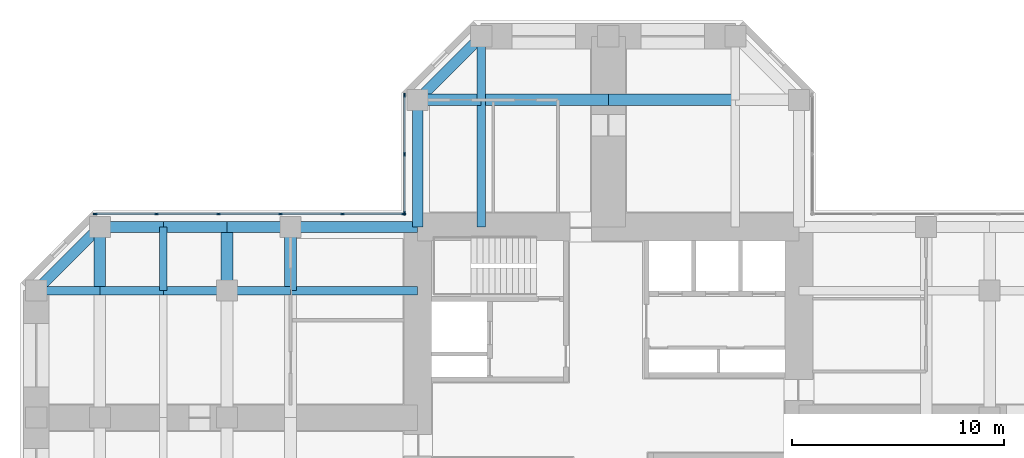
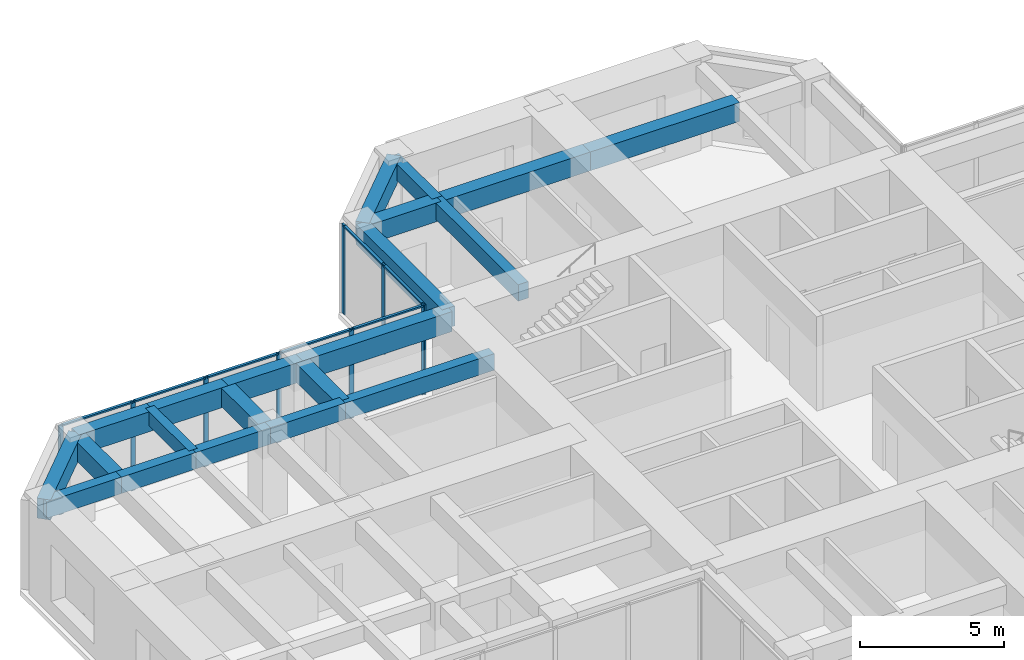
# One storey, part 5 of 12: 21 beams, 16 members, 2 elements without a shape of their own.
"""IFC4 building model written with IfcOpenShell, lengths in metres."""

from ifc_helpers import new_model, si_unit, direction, frame, origin, origin_2d, place, context, subcontext, project, spatial, rectangle, extrude, material, material_profile, profile_set, type_object, element, aggregate, save


model = new_model("IFC4")

# Units and contexts
model_context = context("Model", 3, precision=1e-05, world=origin(), true_north=direction((0.0, 1.0)))
body_context = subcontext(model_context, "Body", "Model", "MODEL_VIEW")
ifc_project = project(units=[si_unit("LENGTHUNIT", "METRE"), si_unit("AREAUNIT", "SQUARE_METRE"), si_unit("VOLUMEUNIT", "CUBIC_METRE"), si_unit("PLANEANGLEUNIT", "RADIAN"), si_unit("MASSUNIT", "GRAM", prefix="KILO")], contexts=[model_context])

# Site, building, storey
site_placement = place(None, origin())
site = spatial("IfcSite", under=ifc_project, at=site_placement, CompositionType="ELEMENT")
building_placement = place(site_placement, origin())
building = spatial("IfcBuilding", under=site, at=building_placement, Name="Torre Cruceta", CompositionType="ELEMENT")
storey_placement = place(building_placement, frame((0.0, 0.0, 116.5)))
storey = spatial("IfcBuildingStorey", under=building, at=storey_placement, Name="L28", CompositionType="ELEMENT", Elevation=116.5)

# Beams
ifc_material_1 = material(Name="Concrete G60 (fck 60 MPa)", Category="concrete")
ifc_material_profile_1 = material_profile(ifc_material_1, rectangle(XDim=0.39990234375, YDim=0.699951171875, at=origin_2d()), Name="RC 400X700")
ifc_profile_set_1 = profile_set([ifc_material_profile_1], Name="Concrete G60 (fck 60 MPa)")
beam_type_1 = type_object("IfcBeamType", Name="COLUMN LINE BEAM RC 400X700", PredefinedType="BEAM", material=ifc_profile_set_1)
beam_1_placement = place(storey_placement, frame((-6.0, 9.0, 3.449951171875), z_axis=(0.0, 1.0, 0.0), x_axis=(-1.0, 0.0, 0.0)))
element("IfcBeam", 1, at=beam_1_placement, inside=storey, type_object=beam_type_1, Name="LB5 L28 N col+ 1", PredefinedType="BEAM", context=body_context, shape_type="SweptSolid", body=[
    extrude(rectangle(XDim=0.39990234375, YDim=0.699951171875, at=origin_2d()), origin(), (0.0, 0.0, 1.0), 6.0),
])
beam_2_placement = place(storey_placement, frame((-6.0, 15.0, 3.449951171875), z_axis=(0.0, 1.0, 0.0), x_axis=(-1.0, 0.0, 0.0)))
element("IfcBeam", 2, at=beam_2_placement, inside=storey, type_object=beam_type_1, Name="LB5 L28 N col+ 2", PredefinedType="BEAM", context=body_context, shape_type="SweptSolid", body=[
    extrude(rectangle(XDim=0.39990234375, YDim=0.699951171875, at=origin_2d()), origin(), (0.0, 0.0, 1.0), 3.0),
])
beam_3_placement = place(storey_placement, frame((-9.0, 6.0, 3.449951171875), z_axis=(-1.0, 0.0, 0.0), x_axis=(0.0, -1.0, 0.0)))
element("IfcBeam", 3, at=beam_3_placement, inside=storey, type_object=beam_type_1, Name="LB5 L28 W col- 1", PredefinedType="BEAM", context=body_context, shape_type="SweptSolid", body=[
    extrude(rectangle(XDim=0.39990234375, YDim=0.699951171875, at=origin_2d()), origin(), (0.0, 0.0, 1.0), 6.0),
])
for number, where, z_axis, x_axis, name in (
    (4, (-15.0, 6.0, 3.449951171875), (-1.0, 0.0, 0.0), (0.0, -1.0, 0.0), "LB5 L28 W col- 2"),
    (5, (-18.0, 6.0, 3.449951171875), (-1.0, 0.0, 0.0), (0.0, -1.0, 0.0), "LB5 L28 W col- 3"),
    (6, (-21.0, 6.0, 3.449951171875), (-1.0, 0.0, 0.0), (0.0, -1.0, 0.0), "LB5 L28 W col- 4"),
    (7, (-24.0, 6.0, 3.449951171875), (-1.0, 0.0, 0.0), (0.0, -1.0, 0.0), "LB5 L28 W col- 5"),
):
    element("IfcBeam", number, at=place(storey_placement, frame(where, z_axis=z_axis, x_axis=x_axis)), inside=storey, type_object=beam_type_1, Name=name, PredefinedType="BEAM", context=body_context, shape_type="SweptSolid", body=[
        extrude(rectangle(XDim=0.39990234375, YDim=0.699951171875, at=origin_2d()), origin(), (0.0, 0.0, 1.0), 3.0),
    ])
ifc_material_2 = material(Name="Concrete G60 (fck 60 MPa)", Category="concrete")
ifc_material_profile_2 = material_profile(ifc_material_2, rectangle(XDim=0.550048828125, YDim=0.800048828125, at=origin_2d()), Name="RC 550X800")
ifc_profile_set_2 = profile_set([ifc_material_profile_2], Name="Concrete G60 (fck 60 MPa)")
beam_type_2 = type_object("IfcBeamType", Name="CROSS BEAM RC 550X800", PredefinedType="BEAM", material=ifc_profile_set_2)
for number, where, z_axis, x_axis, name in (
    (8, (6.0, 15.0, 3.39990234375), (-1.0, 0.0, 0.0), (0.0, -1.0, 0.0), "GB5 L28 N cross15 2"),
    (9, (0.0, 15.0, 3.39990234375), (-1.0, 0.0, 0.0), (0.0, -1.0, 0.0), "GB5 L28 N cross15 3"),
):
    element("IfcBeam", number, at=place(storey_placement, frame(where, z_axis=z_axis, x_axis=x_axis)), inside=storey, type_object=beam_type_2, Name=name, PredefinedType="BEAM", context=body_context, shape_type="SweptSolid", body=[
        extrude(rectangle(XDim=0.550048828125, YDim=0.800048828125, at=origin_2d()), origin(), (0.0, 0.0, 1.0), 6.0),
    ])
for number, where, z_axis, x_axis, name in (
    (10, (-6.0, 15.0, 3.39990234375), (-1.0, 0.0, 0.0), (0.0, -1.0, 0.0), "GB5 L28 N cross15 4"),
    (11, (-15.0, 9.0, 3.39990234375), (0.0, -1.0, 0.0), (1.0, 0.0, 0.0), "GB5 L28 W cross15 1"),
    (12, (-18.0, 9.0, 3.39990234375), (0.0, -1.0, 0.0), (1.0, 0.0, 0.0), "GB5 L28 W cross18 1"),
    (13, (-24.0, 9.0, 3.39990234375), (0.0, -1.0, 0.0), (1.0, 0.0, 0.0), "GB5 L28 W cross24 1"),
):
    element("IfcBeam", number, at=place(storey_placement, frame(where, z_axis=z_axis, x_axis=x_axis)), inside=storey, type_object=beam_type_2, Name=name, PredefinedType="BEAM", context=body_context, shape_type="SweptSolid", body=[
        extrude(rectangle(XDim=0.550048828125, YDim=0.800048828125, at=origin_2d()), origin(), (0.0, 0.0, 1.0), 3.0),
    ])

# Curtain wall, members
ifc_material_3 = material(Name="Aluminium unitised curtain wall", Category="aluminium")
curtain_wall_type = type_object("IfcCurtainWallType", Name="CURTAIN WALL CW-B OFFICE MID RISE", PredefinedType="USERDEFINED", material=ifc_material_3)
curtain_wall_1_placement = place(storey_placement, origin())
curtain_wall_1 = element("IfcCurtainWall", 14, at=curtain_wall_1_placement, inside=storey, type_object=curtain_wall_type, Name="CW-B L28 N side 09", ObjectType="UNITISED", PredefinedType="USERDEFINED")
ifc_material_4 = material(Name="Aluminium mullion", Category="aluminium")
ifc_material_profile_3 = material_profile(ifc_material_4, rectangle(XDim=0.06494140625, YDim=0.179931640625, at=origin_2d()), Name="AL 65X180")
ifc_profile_set_3 = profile_set([ifc_material_profile_3], Name="Aluminium mullion")
member_type_1 = type_object("IfcMemberType", Name="CW-B MULLION 65X180", PredefinedType="MULLION", material=ifc_profile_set_3)
member_1_placement = place(storey_placement, frame((-9.6201171875, 15.224365234375, 0.0), z_axis=(0.0, 0.0, 1.0), x_axis=(1.0, 0.0, 0.0)))
member_1 = element("IfcMember", 15, at=member_1_placement, type_object=member_type_1, Name="CW-B mullion 1", PredefinedType="MULLION", context=body_context, shape_type="SweptSolid", body=[
    extrude(rectangle(XDim=0.06494140625, YDim=0.179931640625, at=origin_2d()), origin(), (0.0, 0.0, 1.0), 3.800048828125),
])
member_2_placement = place(storey_placement, frame((-9.6201171875, 12.4384765625, 0.0), z_axis=(0.0, 0.0, 1.0), x_axis=(1.0, 0.0, 0.0)))
member_2 = element("IfcMember", 16, at=member_2_placement, type_object=member_type_1, Name="CW-B mullion 2", PredefinedType="MULLION", context=body_context, shape_type="SweptSolid", body=[
    extrude(rectangle(XDim=0.06494140625, YDim=0.179931640625, at=origin_2d()), origin(), (0.0, 0.0, 1.0), 3.800048828125),
])
member_3_placement = place(storey_placement, frame((-9.6201171875, 9.652587890625, 0.0), z_axis=(0.0, 0.0, 1.0), x_axis=(1.0, 0.0, 0.0)))
member_3 = element("IfcMember", 17, at=member_3_placement, type_object=member_type_1, Name="CW-B mullion 3", PredefinedType="MULLION", context=body_context, shape_type="SweptSolid", body=[
    extrude(rectangle(XDim=0.06494140625, YDim=0.179931640625, at=origin_2d()), origin(), (0.0, 0.0, 1.0), 3.800048828125),
])

curtain_wall_2_placement = place(storey_placement, origin())
curtain_wall_2 = element("IfcCurtainWall", 18, at=curtain_wall_2_placement, inside=storey, type_object=curtain_wall_type, Name="CW-B L28 W side 10", ObjectType="UNITISED", PredefinedType="USERDEFINED")
member_4_placement = place(storey_placement, frame((-9.652587890625, 9.6201171875, 0.0), z_axis=(0.0, 0.0, 1.0), x_axis=(0.0, -1.0, 0.0)))
member_4 = element("IfcMember", 19, at=member_4_placement, type_object=member_type_1, Name="CW-B mullion 1", PredefinedType="MULLION", context=body_context, shape_type="SweptSolid", body=[
    extrude(rectangle(XDim=0.06494140625, YDim=0.179931640625, at=origin_2d()), origin(), (0.0, 0.0, 1.0), 3.800048828125),
])
member_5_placement = place(storey_placement, frame((-12.54736328125, 9.6201171875, 0.0), z_axis=(0.0, 0.0, 1.0), x_axis=(0.0, -1.0, 0.0)))
member_5 = element("IfcMember", 20, at=member_5_placement, type_object=member_type_1, Name="CW-B mullion 2", PredefinedType="MULLION", context=body_context, shape_type="SweptSolid", body=[
    extrude(rectangle(XDim=0.06494140625, YDim=0.179931640625, at=origin_2d()), origin(), (0.0, 0.0, 1.0), 3.800048828125),
])
member_6_placement = place(storey_placement, frame((-15.474609375, 9.6201171875, 0.0), z_axis=(0.0, 0.0, 1.0), x_axis=(0.0, -1.0, 0.0)))
member_6 = element("IfcMember", 21, at=member_6_placement, type_object=member_type_1, Name="CW-B mullion 3", PredefinedType="MULLION", context=body_context, shape_type="SweptSolid", body=[
    extrude(rectangle(XDim=0.06494140625, YDim=0.179931640625, at=origin_2d()), origin(), (0.0, 0.0, 1.0), 3.800048828125),
])
member_7_placement = place(storey_placement, frame((-18.402099609375, 9.6201171875, 0.0), z_axis=(0.0, 0.0, 1.0), x_axis=(0.0, -1.0, 0.0)))
member_7 = element("IfcMember", 22, at=member_7_placement, type_object=member_type_1, Name="CW-B mullion 4", PredefinedType="MULLION", context=body_context, shape_type="SweptSolid", body=[
    extrude(rectangle(XDim=0.06494140625, YDim=0.179931640625, at=origin_2d()), origin(), (0.0, 0.0, 1.0), 3.800048828125),
])
member_8_placement = place(storey_placement, frame((-21.329345703125, 9.6201171875, 0.0), z_axis=(0.0, 0.0, 1.0), x_axis=(0.0, -1.0, 0.0)))
member_8 = element("IfcMember", 23, at=member_8_placement, type_object=member_type_1, Name="CW-B mullion 5", PredefinedType="MULLION", context=body_context, shape_type="SweptSolid", body=[
    extrude(rectangle(XDim=0.06494140625, YDim=0.179931640625, at=origin_2d()), origin(), (0.0, 0.0, 1.0), 3.800048828125),
])
member_9_placement = place(storey_placement, frame((-24.224365234375, 9.6201171875, 0.0), z_axis=(0.0, 0.0, 1.0), x_axis=(0.0, -1.0, 0.0)))
member_9 = element("IfcMember", 24, at=member_9_placement, type_object=member_type_1, Name="CW-B mullion 6", PredefinedType="MULLION", context=body_context, shape_type="SweptSolid", body=[
    extrude(rectangle(XDim=0.06494140625, YDim=0.179931640625, at=origin_2d()), origin(), (0.0, 0.0, 1.0), 3.800048828125),
])

# Member
ifc_material_5 = material(Name="Aluminium transom", Category="aluminium")
ifc_material_profile_4 = material_profile(ifc_material_5, rectangle(XDim=0.110107421875, YDim=0.06494140625, at=origin_2d()), Name="AL 110X65")
ifc_profile_set_4 = profile_set([ifc_material_profile_4], Name="Aluminium transom")
member_type_2 = type_object("IfcMemberType", Name="CW-B TRANSOM 65X110", PredefinedType="USERDEFINED", material=ifc_profile_set_4)
member_10_placement = place(storey_placement, frame((-9.6201171875, 15.19189453125, 3.767578125), z_axis=(0.0, -1.0, 0.0), x_axis=(1.0, 0.0, 0.0)))
member_10 = element("IfcMember", 25, at=member_10_placement, type_object=member_type_2, Name="CW-B transom 1", ObjectType="TRANSOM", PredefinedType="USERDEFINED", context=body_context, shape_type="SweptSolid", body=[
    extrude(rectangle(XDim=0.110107421875, YDim=0.06494140625, at=origin_2d()), origin(), (0.0, 0.0, 1.0), 2.720947265625),
])

member_11_placement = place(storey_placement, frame((-9.6201171875, 12.406005859375, 3.767578125), z_axis=(0.0, -1.0, 0.0), x_axis=(1.0, 0.0, 0.0)))
member_11 = element("IfcMember", 26, at=member_11_placement, type_object=member_type_2, Name="CW-B transom 2", ObjectType="TRANSOM", PredefinedType="USERDEFINED", context=body_context, shape_type="SweptSolid", body=[
    extrude(rectangle(XDim=0.110107421875, YDim=0.06494140625, at=origin_2d()), origin(), (0.0, 0.0, 1.0), 2.720947265625),
])

aggregate(curtain_wall_1, [member_1, member_2, member_3, member_10, member_11])

member_12_placement = place(storey_placement, frame((-9.68505859375, 9.6201171875, 3.767578125), z_axis=(-1.0, 0.0, 0.0), x_axis=(0.0, -1.0, 0.0)))
member_12 = element("IfcMember", 27, at=member_12_placement, type_object=member_type_2, Name="CW-B transom 1", ObjectType="TRANSOM", PredefinedType="USERDEFINED", context=body_context, shape_type="SweptSolid", body=[
    extrude(rectangle(XDim=0.110107421875, YDim=0.06494140625, at=origin_2d()), origin(), (0.0, 0.0, 1.0), 2.829833984375),
])

member_13_placement = place(storey_placement, frame((-12.579833984375, 9.6201171875, 3.767578125), z_axis=(-1.0, 0.0, 0.0), x_axis=(0.0, -1.0, 0.0)))
member_13 = element("IfcMember", 28, at=member_13_placement, type_object=member_type_2, Name="CW-B transom 2", ObjectType="TRANSOM", PredefinedType="USERDEFINED", context=body_context, shape_type="SweptSolid", body=[
    extrude(rectangle(XDim=0.110107421875, YDim=0.06494140625, at=origin_2d()), origin(), (0.0, 0.0, 1.0), 2.8623046875),
])

member_14_placement = place(storey_placement, frame((-15.50732421875, 9.6201171875, 3.767578125), z_axis=(-1.0, 0.0, 0.0), x_axis=(0.0, -1.0, 0.0)))
member_14 = element("IfcMember", 29, at=member_14_placement, type_object=member_type_2, Name="CW-B transom 3", ObjectType="TRANSOM", PredefinedType="USERDEFINED", context=body_context, shape_type="SweptSolid", body=[
    extrude(rectangle(XDim=0.110107421875, YDim=0.06494140625, at=origin_2d()), origin(), (0.0, 0.0, 1.0), 2.8623046875),
])

member_15_placement = place(storey_placement, frame((-18.4345703125, 9.6201171875, 3.767578125), z_axis=(-1.0, 0.0, 0.0), x_axis=(0.0, -1.0, 0.0)))
member_15 = element("IfcMember", 30, at=member_15_placement, type_object=member_type_2, Name="CW-B transom 4", ObjectType="TRANSOM", PredefinedType="USERDEFINED", context=body_context, shape_type="SweptSolid", body=[
    extrude(rectangle(XDim=0.110107421875, YDim=0.06494140625, at=origin_2d()), origin(), (0.0, 0.0, 1.0), 2.8623046875),
])

member_16_placement = place(storey_placement, frame((-21.362060546875, 9.6201171875, 3.767578125), z_axis=(-1.0, 0.0, 0.0), x_axis=(0.0, -1.0, 0.0)))
member_16 = element("IfcMember", 31, at=member_16_placement, type_object=member_type_2, Name="CW-B transom 5", ObjectType="TRANSOM", PredefinedType="USERDEFINED", context=body_context, shape_type="SweptSolid", body=[
    extrude(rectangle(XDim=0.110107421875, YDim=0.06494140625, at=origin_2d()), origin(), (0.0, 0.0, 1.0), 2.829833984375),
])

aggregate(curtain_wall_2, [member_4, member_5, member_6, member_7, member_8, member_9, member_12, member_13, member_14, member_15, member_16])

# Beams
ifc_material_6 = material(Name="Concrete G60 (fck 60 MPa)", Category="concrete")
ifc_material_profile_5 = material_profile(ifc_material_6, rectangle(XDim=0.35009765625, YDim=0.60009765625, at=origin_2d()), Name="RC 350X600")
ifc_profile_set_5 = profile_set([ifc_material_profile_5], Name="Concrete G60 (fck 60 MPa)")
beam_type_3 = type_object("IfcBeamType", Name="SECONDARY BEAM RC 350X600", PredefinedType="JOIST", material=ifc_profile_set_5)
beam_4_placement = place(storey_placement, frame((-21.0, 9.0, 3.5), z_axis=(0.0, -1.0, 0.0), x_axis=(1.0, 0.0, 0.0)))
element("IfcBeam", 32, at=beam_4_placement, inside=storey, type_object=beam_type_3, Name="JB5 L28 W sec21 1", PredefinedType="JOIST", context=body_context, shape_type="SweptSolid", body=[
    extrude(rectangle(XDim=0.35009765625, YDim=0.60009765625, at=origin_2d()), origin(), (0.0, 0.0, 1.0), 3.0),
])
ifc_material_7 = material(Name="Concrete G60 (fck 60 MPa)", Category="concrete")
ifc_material_profile_6 = material_profile(ifc_material_7, rectangle(XDim=0.5, YDim=0.85009765625, at=origin_2d()), Name="RC 500X850")
ifc_profile_set_6 = profile_set([ifc_material_profile_6], Name="Concrete G60 (fck 60 MPa)")
beam_type_4 = type_object("IfcBeamType", Name="SPANDREL BEAM RC 500X850", PredefinedType="SPANDREL", material=ifc_profile_set_6)
beam_5_placement = place(storey_placement, frame((-9.0, 9.0, 3.375), z_axis=(0.0, 1.0, 0.0), x_axis=(-1.0, 0.0, 0.0)))
element("IfcBeam", 33, at=beam_5_placement, inside=storey, type_object=beam_type_4, Name="SB5 L28 N side+ 1", PredefinedType="SPANDREL", context=body_context, shape_type="SweptSolid", body=[
    extrude(rectangle(XDim=0.5, YDim=0.85009765625, at=origin_2d()), origin(), (0.0, 0.0, 1.0), 6.0),
])
beam_6_placement = place(storey_placement, frame((-9.0, 15.0, 3.375), z_axis=(0.707106781187, 0.707106781187, 0.0), x_axis=(-0.707106781187, 0.707106781187, 0.0)))
element("IfcBeam", 34, at=beam_6_placement, inside=storey, type_object=beam_type_4, Name="SB5 L28 N side+ 2", PredefinedType="SPANDREL", context=body_context, shape_type="SweptSolid", body=[
    extrude(rectangle(XDim=0.5, YDim=0.85009765625, at=origin_2d()), origin(), (0.0, 0.0, 1.0), 4.24267578125),
])
beam_7_placement = place(storey_placement, frame((-9.0, 9.0, 3.375), z_axis=(-1.0, 0.0, 0.0), x_axis=(0.0, -1.0, 0.0)))
element("IfcBeam", 35, at=beam_7_placement, inside=storey, type_object=beam_type_4, Name="SB5 L28 W side- 1", PredefinedType="SPANDREL", context=body_context, shape_type="SweptSolid", body=[
    extrude(rectangle(XDim=0.5, YDim=0.85009765625, at=origin_2d()), origin(), (0.0, 0.0, 1.0), 6.0),
])
for number, where, z_axis, x_axis, name in (
    (36, (-15.0, 9.0, 3.375), (-1.0, 0.0, 0.0), (0.0, -1.0, 0.0), "SB5 L28 W side- 2"),
    (37, (-18.0, 9.0, 3.375), (-1.0, 0.0, 0.0), (0.0, -1.0, 0.0), "SB5 L28 W side- 3"),
    (38, (-21.0, 9.0, 3.375), (-1.0, 0.0, 0.0), (0.0, -1.0, 0.0), "SB5 L28 W side- 4"),
):
    element("IfcBeam", number, at=place(storey_placement, frame(where, z_axis=z_axis, x_axis=x_axis)), inside=storey, type_object=beam_type_4, Name=name, PredefinedType="SPANDREL", context=body_context, shape_type="SweptSolid", body=[
        extrude(rectangle(XDim=0.5, YDim=0.85009765625, at=origin_2d()), origin(), (0.0, 0.0, 1.0), 3.0),
    ])
beam_8_placement = place(storey_placement, frame((-24.0, 9.0, 3.375), z_axis=(-0.707106781187, -0.707106781187, 0.0), x_axis=(0.707106781187, -0.707106781187, 0.0)))
element("IfcBeam", 39, at=beam_8_placement, inside=storey, type_object=beam_type_4, Name="SB5 L28 W side- 5", PredefinedType="SPANDREL", context=body_context, shape_type="SweptSolid", body=[
    extrude(rectangle(XDim=0.5, YDim=0.85009765625, at=origin_2d()), origin(), (0.0, 0.0, 1.0), 4.24267578125),
])

save(model, "model.ifc")
